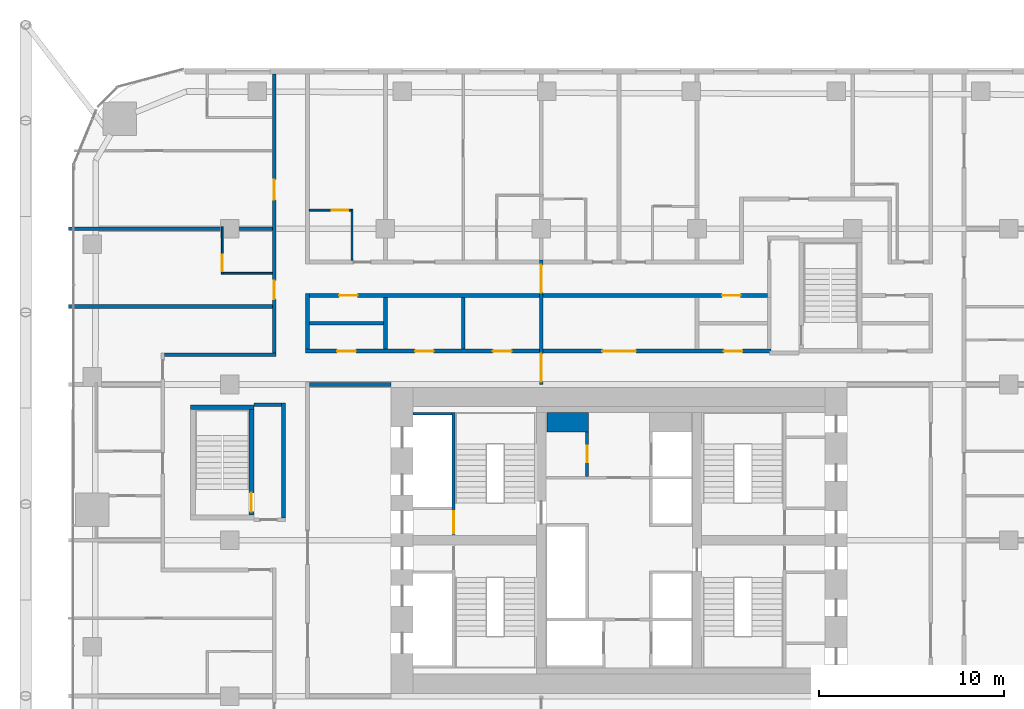
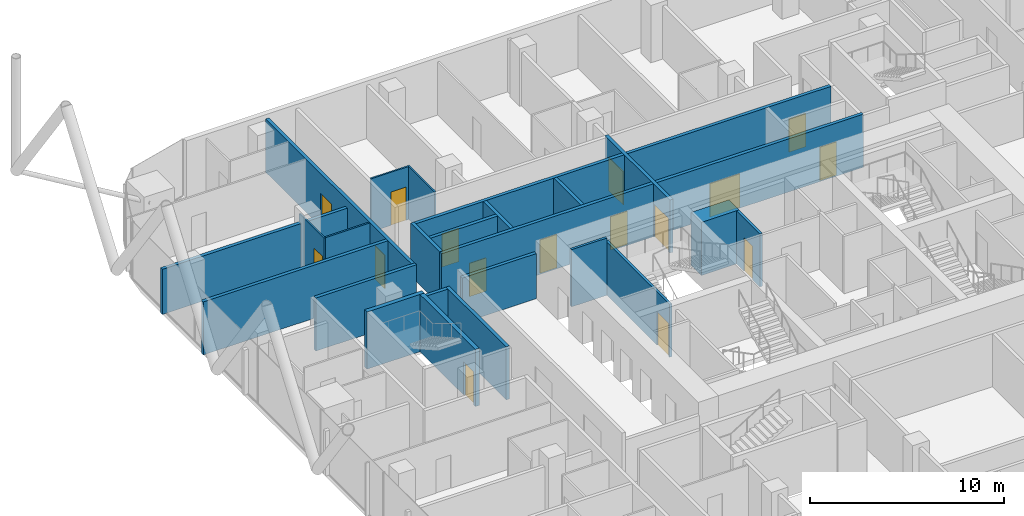
# One storey, part 29 of 34: 24 walls, 16 doors, 16 openings.
"""IFC4 building model written with IfcOpenShell, lengths in metres."""

from ifc_helpers import new_model, si_unit, direction, frame, frame_2d, origin, place, context, subcontext, project, spatial, rectangle, extrude, material, layer, layer_set, type_object, element, fill, save


model = new_model("IFC4")

# Units and contexts
model_context = context("Model", 3, precision=1e-05, world=origin(), true_north=direction((0.0, 1.0)))
body_context = subcontext(model_context, "Body", "Model", "MODEL_VIEW")
ifc_project = project(units=[si_unit("LENGTHUNIT", "METRE"), si_unit("AREAUNIT", "SQUARE_METRE"), si_unit("VOLUMEUNIT", "CUBIC_METRE"), si_unit("PLANEANGLEUNIT", "RADIAN"), si_unit("MASSUNIT", "GRAM", prefix="KILO")], contexts=[model_context])

# Site, building, storey
site_placement = place(None, origin())
site = spatial("IfcSite", under=ifc_project, at=site_placement, CompositionType="ELEMENT")
building_placement = place(site_placement, origin())
building = spatial("IfcBuilding", under=site, at=building_placement, Name="Marenta Gate Hotel Tower", CompositionType="ELEMENT")
storey_placement = place(building_placement, frame((0.0, 0.0, 76.10009765625)))
storey = spatial("IfcBuildingStorey", under=building, at=storey_placement, Name="L17", CompositionType="ELEMENT", Elevation=76.10009765625)

# Wall, openings, doors
ifc_material_1 = material(Name="Concrete blockwork", Category="masonry")
ifc_layer_1 = layer(ifc_material_1, 0.199951171875)
ifc_layer_set_1 = layer_set([ifc_layer_1], Name="Concrete blockwork")
wall_type_1 = type_object("IfcWallType", Name="Compartment wall 200 REI 180", PredefinedType="PARTITIONING", material=ifc_layer_set_1)
wall_1_placement = place(storey_placement, frame((-4.199951171875, 16.800048828125, 0.0), z_axis=(0.0, 0.0, 1.0), x_axis=(0.0, 1.0, 0.0)))
wall_1 = element("IfcWall", 1, at=wall_1_placement, inside=storey, type_object=wall_type_1, Name="L17-PTN-W076", PredefinedType="PARTITIONING", context=body_context, shape_type="SweptSolid", body=[
    extrude(rectangle(XDim=6.699951171875, YDim=0.199951171875, at=frame_2d((3.35009765625, 0.0))), origin(), (0.0, 0.0, 1.0), 3.33984375),
])
opening_1_placement = place(wall_1_placement, frame((0.14990234375, 0.0, 0.0)))
opening_1 = element("IfcOpeningElement", 2, at=opening_1_placement, cuts=wall_1, Name="Opening G06-FD1", PredefinedType="OPENING", context=body_context, shape_type="SweptSolid", body=[
    extrude(rectangle(XDim=1.5, YDim=2.10009765625, at=frame_2d((0.75, 1.050048828125))), frame((0.0, 0.10009765625, 0.0), z_axis=(0.0, -1.0, 0.0), x_axis=(1.0, 0.0, 0.0)), (0.0, 0.0, 1.0), 0.199951171875),
])
opening_2_placement = place(wall_1_placement, frame((4.949951171875, 0.0, 0.0)))
opening_2 = element("IfcOpeningElement", 3, at=opening_2_placement, cuts=wall_1, Name="Opening G06-FD2", PredefinedType="OPENING", context=body_context, shape_type="SweptSolid", body=[
    extrude(rectangle(XDim=1.5, YDim=2.10009765625, at=frame_2d((0.75, 1.050048828125))), frame((0.0, 0.10009765625, 0.0), z_axis=(0.0, -1.0, 0.0), x_axis=(1.0, 0.0, 0.0)), (0.0, 0.0, 1.0), 0.199951171875),
])
ifc_material_2 = material(Name="Hollow steel door set", Category="steel")
door_type_1 = type_object("IfcDoorType", Name="Compartment fire door 1500x2100 EI 60", OperationType="DOUBLE_DOOR_DOUBLE_SWING", PredefinedType="DOOR", material=ifc_material_2)
door_1_placement = place(opening_1_placement, origin())
door_1 = element("IfcDoor", 4, at=door_1_placement, inside=storey, type_object=door_type_1, Name="L17-PD-FD01", OperationType="DOUBLE_DOOR_DOUBLE_SWING", OverallHeight=2.10009765625, OverallWidth=1.5, PredefinedType="DOOR", context=body_context, shape_type="SweptSolid", body=[
    extrude(rectangle(XDim=1.5, YDim=2.10009765625, at=frame_2d((0.75, 1.050048828125))), frame((0.0, 0.02490234375, 0.0), z_axis=(0.0, -1.0, 0.0), x_axis=(1.0, 0.0, 0.0)), (0.0, 0.0, 1.0), 0.050048828125),
])
fill(opening_1, door_1)
door_2_placement = place(opening_2_placement, origin())
door_2 = element("IfcDoor", 5, at=door_2_placement, inside=storey, type_object=door_type_1, Name="L17-PD-FD02", OperationType="DOUBLE_DOOR_DOUBLE_SWING", OverallHeight=2.10009765625, OverallWidth=1.5, PredefinedType="DOOR", context=body_context, shape_type="SweptSolid", body=[
    extrude(rectangle(XDim=1.5, YDim=2.10009765625, at=frame_2d((0.75, 1.050048828125))), frame((0.0, 0.02490234375, 0.0), z_axis=(0.0, -1.0, 0.0), x_axis=(1.0, 0.0, 0.0)), (0.0, 0.0, 1.0), 0.050048828125),
])
fill(opening_2, door_2)

# Walls
ifc_material_3 = material(Name="Concrete blockwork", Category="masonry")
ifc_layer_2 = layer(ifc_material_3, 0.199951171875)
ifc_layer_set_2 = layer_set([ifc_layer_2], Name="Concrete blockwork")
wall_type_2 = type_object("IfcWallType", Name="Core boundary wall 200 REI 180", PredefinedType="PARTITIONING", material=ifc_layer_set_2)
wall_2_placement = place(storey_placement, frame((-16.699951171875, 16.800048828125, 0.0), z_axis=(0.0, 0.0, 1.0), x_axis=(1.0, 0.0, 0.0)))
element("IfcWall", 6, at=wall_2_placement, inside=storey, type_object=wall_type_2, Name="L17-CP-EW-WN", PredefinedType="PARTITIONING", context=body_context, shape_type="SweptSolid", body=[
    extrude(rectangle(XDim=4.39990234375, YDim=0.199951171875, at=frame_2d((2.199951171875, 0.0))), origin(), (0.0, 0.0, 1.0), 2.83984375),
])
ifc_material_4 = material(Name="Concrete blockwork", Category="masonry")
ifc_layer_3 = layer(ifc_material_4, 1.050048828125)
ifc_layer_set_3 = layer_set([ifc_layer_3], Name="Concrete blockwork")
wall_type_3 = type_object("IfcWallType", Name="Core room partition 1050 REI 180", PredefinedType="PARTITIONING", material=ifc_layer_set_3)
wall_3_placement = place(storey_placement, frame((-3.89990234375, 14.77490234375, 0.0), z_axis=(0.0, 0.0, 1.0), x_axis=(1.0, 0.0, 0.0)))
element("IfcWall", 7, at=wall_3_placement, inside=storey, type_object=wall_type_3, Name="L17-CP-CW-W-riser-N", PredefinedType="PARTITIONING", context=body_context, shape_type="SweptSolid", body=[
    extrude(rectangle(XDim=2.25, YDim=1.050048828125, at=frame_2d((1.125, 0.0))), origin(), (0.0, 0.0, 1.0), 3.33984375),
])

# Wall, opening, door
ifc_material_5 = material(Name="Concrete blockwork", Category="masonry")
ifc_layer_4 = layer(ifc_material_5, 0.14990234375)
ifc_layer_set_4 = layer_set([ifc_layer_4], Name="Concrete blockwork")
wall_type_4 = type_object("IfcWallType", Name="Core room partition 150 REI 180", PredefinedType="PARTITIONING", material=ifc_layer_set_4)
wall_4_placement = place(storey_placement, frame((-1.72509765625, 11.85009765625, 0.0), z_axis=(0.0, 0.0, 1.0), x_axis=(0.0, 1.0, 0.0)))
wall_4 = element("IfcWall", 8, at=wall_4_placement, inside=storey, type_object=wall_type_4, Name="L17-CP-CW-W-riser-front", PredefinedType="PARTITIONING", context=body_context, shape_type="SweptSolid", body=[
    extrude(rectangle(XDim=2.39990234375, YDim=0.14990234375, at=frame_2d((1.199951171875, 0.0))), origin(), (0.0, 0.0, 1.0), 3.33984375),
])
opening_3_placement = place(wall_4_placement, frame((0.75, 0.0, 0.0)))
opening_3 = element("IfcOpeningElement", 9, at=opening_3_placement, cuts=wall_4, Name="Opening RD-CRISER", PredefinedType="OPENING", context=body_context, shape_type="SweptSolid", body=[
    extrude(rectangle(XDim=0.89990234375, YDim=2.10009765625, at=frame_2d((0.449951171875, 1.050048828125))), frame((0.0, 0.074951171875, 0.0), z_axis=(0.0, -1.0, 0.0), x_axis=(1.0, 0.0, 0.0)), (0.0, 0.0, 1.0), 0.14990234375),
])
ifc_material_6 = material(Name="Steel", Category="steel")
door_type_2 = type_object("IfcDoorType", Name="Core riser door 900x2100 FD60", OperationType="SINGLE_SWING_LEFT", PredefinedType="DOOR", material=ifc_material_6)
door_3_placement = place(opening_3_placement, origin())
door_3 = element("IfcDoor", 10, at=door_3_placement, inside=storey, type_object=door_type_2, Name="RD-CRISER", OperationType="SINGLE_SWING_LEFT", OverallHeight=2.10009765625, OverallWidth=0.89990234375, PredefinedType="DOOR", context=body_context, shape_type="SweptSolid", body=[
    extrude(rectangle(XDim=0.89990234375, YDim=2.10009765625, at=frame_2d((0.449951171875, 1.050048828125))), frame((0.0, 0.02490234375, 0.0), z_axis=(0.0, -1.0, 0.0), x_axis=(1.0, 0.0, 0.0)), (0.0, 0.0, 1.0), 0.050048828125),
])
fill(opening_3, door_3)

# Wall
ifc_material_7 = material(Name="Concrete C40", Category="concrete")
ifc_layer_5 = layer(ifc_material_7, 0.14990234375)
ifc_layer_set_5 = layer_set([ifc_layer_5], Name="Concrete C40")
wall_type_5 = type_object("IfcWallType", Name="Core shaft wall 150 REI 180", PredefinedType="SHEAR", material=ifc_layer_set_5)
wall_5_placement = place(storey_placement, frame((-11.10009765625, 15.22509765625, 0.0), z_axis=(0.0, 0.0, 1.0), x_axis=(1.0, 0.0, 0.0)))
element("IfcWall", 11, at=wall_5_placement, inside=storey, type_object=wall_type_5, Name="L17-SHF-SW-WN-5", PredefinedType="SHEAR", context=body_context, shape_type="SweptSolid", body=[
    extrude(rectangle(XDim=2.10009765625, YDim=0.14990234375, at=frame_2d((1.050048828125, 0.0))), origin(), (0.0, 0.0, 1.0), 3.599853515625),
])

# Wall, opening, door
ifc_material_8 = material(Name="Concrete C40", Category="concrete")
ifc_layer_6 = layer(ifc_material_8, 0.14990234375)
ifc_layer_set_6 = layer_set([ifc_layer_6], Name="Concrete C40")
wall_type_6 = type_object("IfcWallType", Name="Core stair enclosure wall 150 REI 180", PredefinedType="SHEAR", material=ifc_layer_set_6)
wall_6_placement = place(storey_placement, frame((-8.925048828125, 8.699951171875, 0.0), z_axis=(0.0, 0.0, 1.0), x_axis=(0.0, 1.0, 0.0)))
wall_6 = element("IfcWall", 12, at=wall_6_placement, inside=storey, type_object=wall_type_6, Name="L17-SHF-SW-WN-3", PredefinedType="SHEAR", context=body_context, shape_type="SweptSolid", body=[
    extrude(rectangle(XDim=6.60009765625, YDim=0.14990234375, at=frame_2d((3.300048828125, 0.0))), origin(), (0.0, 0.0, 1.0), 3.33984375),
])
opening_4_placement = place(wall_6_placement, frame((0.074951171875, 0.0, 0.0)))
opening_4 = element("IfcOpeningElement", 13, at=opening_4_placement, cuts=wall_6, Name="Opening SD-WN", PredefinedType="OPENING", context=body_context, shape_type="SweptSolid", body=[
    extrude(rectangle(XDim=1.199951171875, YDim=2.10009765625, at=frame_2d((0.60009765625, 1.050048828125))), frame((0.0, 0.074951171875, 0.0), z_axis=(0.0, -1.0, 0.0), x_axis=(1.0, 0.0, 0.0)), (0.0, 0.0, 1.0), 0.14990234375),
])
ifc_material_9 = material(Name="Steel", Category="steel")
door_type_3 = type_object("IfcDoorType", Name="Core stair door 1200x2100 FD60", OperationType="SINGLE_SWING_LEFT", PredefinedType="DOOR", material=ifc_material_9)
door_4_placement = place(opening_4_placement, origin())
door_4 = element("IfcDoor", 14, at=door_4_placement, inside=storey, type_object=door_type_3, Name="SD-WN", OperationType="SINGLE_SWING_LEFT", OverallHeight=2.10009765625, OverallWidth=1.199951171875, PredefinedType="DOOR", context=body_context, shape_type="SweptSolid", body=[
    extrude(rectangle(XDim=1.199951171875, YDim=2.10009765625, at=frame_2d((0.60009765625, 1.050048828125))), frame((0.0, 0.02490234375, 0.0), z_axis=(0.0, -1.0, 0.0), x_axis=(1.0, 0.0, 0.0)), (0.0, 0.0, 1.0), 0.050048828125),
])
fill(opening_4, door_4)

# Wall
ifc_material_10 = material(Name="Concrete C40", Category="concrete")
ifc_layer_7 = layer(ifc_material_10, 0.25)
ifc_layer_set_7 = layer_set([ifc_layer_7], Name="Concrete C40")
wall_type_7 = type_object("IfcWallType", Name="Remote stair enclosure wall 250 REI 180", PredefinedType="SHEAR", material=ifc_layer_set_7)
wall_7_placement = place(storey_placement, frame((-23.10009765625, 15.574951171875, 0.099853515625), z_axis=(0.0, 0.0, 1.0), x_axis=(1.0, 0.0, 0.0)))
element("IfcWall", 15, at=wall_7_placement, inside=storey, type_object=wall_type_7, Name="L17-RS-Z1-3-W2", PredefinedType="SHEAR", context=body_context, shape_type="SweptSolid", body=[
    extrude(rectangle(XDim=3.400146484375, YDim=0.25, at=frame_2d((1.7001953125, 0.0))), origin(), (0.0, 0.0, 1.0), 3.60009765625),
])

# Wall, opening, door
wall_8_placement = place(storey_placement, frame((-19.824951171875, 9.75, 0.099853515625), z_axis=(0.0, 0.0, 1.0), x_axis=(0.0, 1.0, 0.0)))
wall_8 = element("IfcWall", 16, at=wall_8_placement, inside=storey, type_object=wall_type_7, Name="L17-RS-Z1-3-W4", PredefinedType="SHEAR", context=body_context, shape_type="SweptSolid", body=[
    extrude(rectangle(XDim=5.699951171875, YDim=0.25, at=frame_2d((2.85009765625, 0.0))), origin(), (0.0, 0.0, 1.0), 3.60009765625),
])
opening_5_placement = place(wall_8_placement, frame((0.199951171875, 0.0, 0.0)))
opening_5 = element("IfcOpeningElement", 17, at=opening_5_placement, cuts=wall_8, Name="Opening VD", PredefinedType="OPENING", context=body_context, shape_type="SweptSolid", body=[
    extrude(rectangle(XDim=1.0, YDim=2.10009765625, at=frame_2d((0.5, 1.050048828125))), frame((0.0, 0.125, 0.0), z_axis=(0.0, -1.0, 0.0), x_axis=(1.0, 0.0, 0.0)), (0.0, 0.0, 1.0), 0.25),
])
ifc_material_11 = material(Name="Steel", Category="steel")
door_type_4 = type_object("IfcDoorType", Name="Stair vestibule door 1000x2100 FD60", OperationType="SINGLE_SWING_LEFT", PredefinedType="DOOR", material=ifc_material_11)
door_5_placement = place(opening_5_placement, origin())
door_5 = element("IfcDoor", 18, at=door_5_placement, inside=storey, type_object=door_type_4, Name="VD", OperationType="SINGLE_SWING_LEFT", OverallHeight=2.10009765625, OverallWidth=1.0, PredefinedType="DOOR", context=body_context, shape_type="SweptSolid", body=[
    extrude(rectangle(XDim=1.0, YDim=2.10009765625, at=frame_2d((0.5, 1.050048828125))), frame((0.0, 0.02490234375, 0.0), z_axis=(0.0, -1.0, 0.0), x_axis=(1.0, 0.0, 0.0)), (0.0, 0.0, 1.0), 0.050048828125),
])
fill(opening_5, door_5)

# Walls
ifc_material_12 = material(Name="Gypsum board on steel stud", Category="steel")
ifc_layer_8 = layer(ifc_material_12, 0.199951171875)
ifc_layer_set_8 = layer_set([ifc_layer_8], Name="Gypsum board on steel stud")
wall_type_8 = type_object("IfcWallType", Name="Room corridor wall 200 EI 60", PredefinedType="PARTITIONING", material=ifc_layer_set_8)
wall_9_placement = place(storey_placement, frame((-16.800048828125, 18.699951171875, 0.0), z_axis=(0.0, 0.0, 1.0), x_axis=(0.0, 1.0, 0.0)))
element("IfcWall", 19, at=wall_9_placement, inside=storey, type_object=wall_type_8, Name="L17-PTN-W105", PredefinedType="PARTITIONING", context=body_context, shape_type="SweptSolid", body=[
    extrude(rectangle(XDim=3.0, YDim=0.199951171875, at=frame_2d((1.5, 0.0))), origin(), (0.0, 0.0, 1.0), 3.33984375),
])
wall_10_placement = place(storey_placement, frame((-24.5, 18.39990234375, 0.0), z_axis=(0.0, 0.0, 1.0), x_axis=(1.0, 0.0, 0.0)))
element("IfcWall", 20, at=wall_10_placement, inside=storey, type_object=wall_type_8, Name="L17-PTN-W110", PredefinedType="PARTITIONING", context=body_context, shape_type="SweptSolid", body=[
    extrude(rectangle(XDim=6.0, YDim=0.199951171875, at=frame_2d((3.0, 0.0))), origin(), (0.0, 0.0, 1.0), 3.33984375),
])

# Wall, openings, doors
wall_11_placement = place(storey_placement, frame((-18.60009765625, 18.5, 0.0), z_axis=(0.0, 0.0, 1.0), x_axis=(0.0, 1.0, 0.0)))
wall_11 = element("IfcWall", 21, at=wall_11_placement, inside=storey, type_object=wall_type_8, Name="L17-PTN-W113", PredefinedType="PARTITIONING", context=body_context, shape_type="SweptSolid", body=[
    extrude(rectangle(XDim=15.0400390625, YDim=0.199951171875, at=frame_2d((7.52001953125, 0.0))), origin(), (0.0, 0.0, 1.0), 3.33984375),
])
opening_6_placement = place(wall_11_placement, frame((2.89990234375, 0.0, 0.0)))
opening_6 = element("IfcOpeningElement", 22, at=opening_6_placement, cuts=wall_11, Name="Opening G06-56", PredefinedType="OPENING", context=body_context, shape_type="SweptSolid", body=[
    extrude(rectangle(XDim=1.0, YDim=2.10009765625, at=frame_2d((0.5, 1.050048828125))), frame((0.0, 0.10009765625, 0.0), z_axis=(0.0, -1.0, 0.0), x_axis=(1.0, 0.0, 0.0)), (0.0, 0.0, 1.0), 0.199951171875),
])
opening_7_placement = place(wall_11_placement, frame((8.25, 0.0, 0.0)))
opening_7 = element("IfcOpeningElement", 23, at=opening_7_placement, cuts=wall_11, Name="Opening G06-58", PredefinedType="OPENING", context=body_context, shape_type="SweptSolid", body=[
    extrude(rectangle(XDim=1.10009765625, YDim=2.10009765625, at=frame_2d((0.550048828125, 1.050048828125))), frame((0.0, 0.10009765625, 0.0), z_axis=(0.0, -1.0, 0.0), x_axis=(1.0, 0.0, 0.0)), (0.0, 0.0, 1.0), 0.199951171875),
])
ifc_material_13 = material(Name="Timber door leaf", Category="wood")
door_type_5 = type_object("IfcDoorType", Name="Guest room door 1000x2100 EI 30", OperationType="NOTDEFINED", PredefinedType="DOOR", material=ifc_material_13)
door_6_placement = place(opening_6_placement, origin())
door_6 = element("IfcDoor", 24, at=door_6_placement, inside=storey, type_object=door_type_5, Name="L17-PD-D056", OperationType="SINGLE_SWING_LEFT", OverallHeight=2.10009765625, OverallWidth=1.0, PredefinedType="DOOR", context=body_context, shape_type="SweptSolid", body=[
    extrude(rectangle(XDim=1.0, YDim=2.10009765625, at=frame_2d((0.5, 1.050048828125))), frame((0.0, 0.02490234375, 0.0), z_axis=(0.0, -1.0, 0.0), x_axis=(1.0, 0.0, 0.0)), (0.0, 0.0, 1.0), 0.050048828125),
])
fill(opening_6, door_6)
ifc_material_14 = material(Name="Timber door leaf", Category="wood")
door_type_6 = type_object("IfcDoorType", Name="Guest room door 1100x2100 EI 30", OperationType="NOTDEFINED", PredefinedType="DOOR", material=ifc_material_14)
door_7_placement = place(opening_7_placement, origin())
door_7 = element("IfcDoor", 25, at=door_7_placement, inside=storey, type_object=door_type_6, Name="L17-PD-D058", OperationType="SINGLE_SWING_LEFT", OverallHeight=2.10009765625, OverallWidth=1.10009765625, PredefinedType="DOOR", context=body_context, shape_type="SweptSolid", body=[
    extrude(rectangle(XDim=1.10009765625, YDim=2.10009765625, at=frame_2d((0.550048828125, 1.050048828125))), frame((0.0, 0.02490234375, 0.0), z_axis=(0.0, -1.0, 0.0), x_axis=(1.0, 0.0, 0.0)), (0.0, 0.0, 1.0), 0.050048828125),
])
fill(opening_7, door_7)

wall_12_placement = place(storey_placement, frame((-16.89990234375, 18.60009765625, 0.0), z_axis=(0.0, 0.0, 1.0), x_axis=(1.0, 0.0, 0.0)))
wall_12 = element("IfcWall", 26, at=wall_12_placement, inside=storey, type_object=wall_type_8, Name="L17-PTN-W114", PredefinedType="PARTITIONING", context=body_context, shape_type="SweptSolid", body=[
    extrude(rectangle(XDim=25.099853515625, YDim=0.199951171875, at=frame_2d((12.5498046875, 0.0))), origin(), (0.0, 0.0, 1.0), 3.33984375),
])
opening_8_placement = place(wall_12_placement, frame((16.0, 0.0, 0.0)))
opening_8 = element("IfcOpeningElement", 27, at=opening_8_placement, cuts=wall_12, Name="Opening G06-01", PredefinedType="OPENING", context=body_context, shape_type="SweptSolid", body=[
    extrude(rectangle(XDim=1.800048828125, YDim=2.10009765625, at=frame_2d((0.89990234375, 1.050048828125))), frame((0.0, 0.10009765625, 0.0), z_axis=(0.0, -1.0, 0.0), x_axis=(1.0, 0.0, 0.0)), (0.0, 0.0, 1.0), 0.199951171875),
])
opening_9_placement = place(wall_12_placement, frame((5.89990234375, 0.0, 0.0)))
opening_9 = element("IfcOpeningElement", 28, at=opening_9_placement, cuts=wall_12, Name="Opening G06-68", PredefinedType="OPENING", context=body_context, shape_type="SweptSolid", body=[
    extrude(rectangle(XDim=1.0, YDim=2.10009765625, at=frame_2d((0.5, 1.050048828125))), frame((0.0, 0.10009765625, 0.0), z_axis=(0.0, -1.0, 0.0), x_axis=(1.0, 0.0, 0.0)), (0.0, 0.0, 1.0), 0.199951171875),
])
opening_10_placement = place(wall_12_placement, frame((10.10009765625, 0.0, 0.0)))
opening_10 = element("IfcOpeningElement", 29, at=opening_10_placement, cuts=wall_12, Name="Opening G06-69", PredefinedType="OPENING", context=body_context, shape_type="SweptSolid", body=[
    extrude(rectangle(XDim=1.0, YDim=2.10009765625, at=frame_2d((0.5, 1.050048828125))), frame((0.0, 0.10009765625, 0.0), z_axis=(0.0, -1.0, 0.0), x_axis=(1.0, 0.0, 0.0)), (0.0, 0.0, 1.0), 0.199951171875),
])
opening_11_placement = place(wall_12_placement, frame((1.699951171875, 0.0, 0.0)))
opening_11 = element("IfcOpeningElement", 30, at=opening_11_placement, cuts=wall_12, Name="Opening G06-70", PredefinedType="OPENING", context=body_context, shape_type="SweptSolid", body=[
    extrude(rectangle(XDim=1.0, YDim=2.10009765625, at=frame_2d((0.5, 1.050048828125))), frame((0.0, 0.10009765625, 0.0), z_axis=(0.0, -1.0, 0.0), x_axis=(1.0, 0.0, 0.0)), (0.0, 0.0, 1.0), 0.199951171875),
])
opening_12_placement = place(wall_12_placement, frame((22.550048828125, 0.0, 0.0)))
opening_12 = element("IfcOpeningElement", 31, at=opening_12_placement, cuts=wall_12, Name="Opening G06-72", PredefinedType="OPENING", context=body_context, shape_type="SweptSolid", body=[
    extrude(rectangle(XDim=1.0, YDim=2.10009765625, at=frame_2d((0.5, 1.050048828125))), frame((0.0, 0.10009765625, 0.0), z_axis=(0.0, -1.0, 0.0), x_axis=(1.0, 0.0, 0.0)), (0.0, 0.0, 1.0), 0.199951171875),
])
ifc_material_15 = material(Name="Timber door leaf", Category="wood")
door_type_7 = type_object("IfcDoorType", Name="Room amenity door 1000x2100 EI 30", OperationType="NOTDEFINED", PredefinedType="DOOR", material=ifc_material_15)
door_8_placement = place(opening_9_placement, origin())
door_8 = element("IfcDoor", 32, at=door_8_placement, inside=storey, type_object=door_type_7, Name="L17-PD-D068", OperationType="SINGLE_SWING_RIGHT", OverallHeight=2.10009765625, OverallWidth=1.0, PredefinedType="DOOR", context=body_context, shape_type="SweptSolid", body=[
    extrude(rectangle(XDim=1.0, YDim=2.10009765625, at=frame_2d((0.5, 1.050048828125))), frame((0.0, 0.02490234375, 0.0), z_axis=(0.0, -1.0, 0.0), x_axis=(1.0, 0.0, 0.0)), (0.0, 0.0, 1.0), 0.050048828125),
])
fill(opening_9, door_8)
door_9_placement = place(opening_10_placement, origin())
door_9 = element("IfcDoor", 33, at=door_9_placement, inside=storey, type_object=door_type_7, Name="L17-PD-D069", OperationType="SINGLE_SWING_LEFT", OverallHeight=2.10009765625, OverallWidth=1.0, PredefinedType="DOOR", context=body_context, shape_type="SweptSolid", body=[
    extrude(rectangle(XDim=1.0, YDim=2.10009765625, at=frame_2d((0.5, 1.050048828125))), frame((0.0, 0.02490234375, 0.0), z_axis=(0.0, -1.0, 0.0), x_axis=(1.0, 0.0, 0.0)), (0.0, 0.0, 1.0), 0.050048828125),
])
fill(opening_10, door_9)
door_10_placement = place(opening_11_placement, origin())
door_10 = element("IfcDoor", 34, at=door_10_placement, inside=storey, type_object=door_type_7, Name="L17-PD-D070", OperationType="SINGLE_SWING_RIGHT", OverallHeight=2.10009765625, OverallWidth=1.0, PredefinedType="DOOR", context=body_context, shape_type="SweptSolid", body=[
    extrude(rectangle(XDim=1.0, YDim=2.10009765625, at=frame_2d((0.5, 1.050048828125))), frame((0.0, 0.02490234375, 0.0), z_axis=(0.0, -1.0, 0.0), x_axis=(1.0, 0.0, 0.0)), (0.0, 0.0, 1.0), 0.050048828125),
])
fill(opening_11, door_10)
door_11_placement = place(opening_12_placement, origin())
door_11 = element("IfcDoor", 35, at=door_11_placement, inside=storey, type_object=door_type_7, Name="L17-PD-D072", OperationType="SINGLE_SWING_RIGHT", OverallHeight=2.10009765625, OverallWidth=1.0, PredefinedType="DOOR", context=body_context, shape_type="SweptSolid", body=[
    extrude(rectangle(XDim=1.0, YDim=2.10009765625, at=frame_2d((0.5, 1.050048828125))), frame((0.0, 0.02490234375, 0.0), z_axis=(0.0, -1.0, 0.0), x_axis=(1.0, 0.0, 0.0)), (0.0, 0.0, 1.0), 0.050048828125),
])
fill(opening_12, door_11)
ifc_material_16 = material(Name="Timber door leaf", Category="wood")
door_type_8 = type_object("IfcDoorType", Name="Room amenity door 1800x2100 EI 30", OperationType="DOUBLE_DOOR_SINGLE_SWING", PredefinedType="DOOR", material=ifc_material_16)
door_12_placement = place(opening_8_placement, origin())
door_12 = element("IfcDoor", 36, at=door_12_placement, inside=storey, type_object=door_type_8, Name="L17-PD-D001", OperationType="DOUBLE_DOOR_SINGLE_SWING", OverallHeight=2.10009765625, OverallWidth=1.800048828125, PredefinedType="DOOR", context=body_context, shape_type="SweptSolid", body=[
    extrude(rectangle(XDim=1.800048828125, YDim=2.10009765625, at=frame_2d((0.89990234375, 1.050048828125))), frame((0.0, 0.02490234375, 0.0), z_axis=(0.0, -1.0, 0.0), x_axis=(1.0, 0.0, 0.0)), (0.0, 0.0, 1.0), 0.050048828125),
])
fill(opening_8, door_12)

wall_13_placement = place(storey_placement, frame((-16.699951171875, 21.60009765625, 0.0), z_axis=(0.0, 0.0, 1.0), x_axis=(1.0, 0.0, 0.0)))
wall_13 = element("IfcWall", 37, at=wall_13_placement, inside=storey, type_object=wall_type_8, Name="L17-PTN-W125", PredefinedType="PARTITIONING", context=body_context, shape_type="SweptSolid", body=[
    extrude(rectangle(XDim=24.699951171875, YDim=0.199951171875, at=frame_2d((12.35009765625, 0.0))), origin(), (0.0, 0.0, 1.0), 3.33984375),
])
opening_13_placement = place(wall_13_placement, frame((1.60009765625, 0.0, 0.0)))
opening_13 = element("IfcOpeningElement", 38, at=opening_13_placement, cuts=wall_13, Name="Opening G06-71", PredefinedType="OPENING", context=body_context, shape_type="SweptSolid", body=[
    extrude(rectangle(XDim=1.0, YDim=2.10009765625, at=frame_2d((0.5, 1.050048828125))), frame((0.0, 0.10009765625, 0.0), z_axis=(0.0, -1.0, 0.0), x_axis=(1.0, 0.0, 0.0)), (0.0, 0.0, 1.0), 0.199951171875),
])
opening_14_placement = place(wall_13_placement, frame((22.25, 0.0, 0.0)))
opening_14 = element("IfcOpeningElement", 39, at=opening_14_placement, cuts=wall_13, Name="Opening G06-73", PredefinedType="OPENING", context=body_context, shape_type="SweptSolid", body=[
    extrude(rectangle(XDim=1.0, YDim=2.10009765625, at=frame_2d((0.5, 1.050048828125))), frame((0.0, 0.10009765625, 0.0), z_axis=(0.0, -1.0, 0.0), x_axis=(1.0, 0.0, 0.0)), (0.0, 0.0, 1.0), 0.199951171875),
])
door_13_placement = place(opening_13_placement, origin())
door_13 = element("IfcDoor", 40, at=door_13_placement, inside=storey, type_object=door_type_7, Name="L17-PD-D071", OperationType="SINGLE_SWING_RIGHT", OverallHeight=2.10009765625, OverallWidth=1.0, PredefinedType="DOOR", context=body_context, shape_type="SweptSolid", body=[
    extrude(rectangle(XDim=1.0, YDim=2.10009765625, at=frame_2d((0.5, 1.050048828125))), frame((0.0, 0.02490234375, 0.0), z_axis=(0.0, -1.0, 0.0), x_axis=(1.0, 0.0, 0.0)), (0.0, 0.0, 1.0), 0.050048828125),
])
fill(opening_13, door_13)
door_14_placement = place(opening_14_placement, origin())
door_14 = element("IfcDoor", 41, at=door_14_placement, inside=storey, type_object=door_type_7, Name="L17-PD-D073", OperationType="SINGLE_SWING_LEFT", OverallHeight=2.10009765625, OverallWidth=1.0, PredefinedType="DOOR", context=body_context, shape_type="SweptSolid", body=[
    extrude(rectangle(XDim=1.0, YDim=2.10009765625, at=frame_2d((0.5, 1.050048828125))), frame((0.0, 0.02490234375, 0.0), z_axis=(0.0, -1.0, 0.0), x_axis=(1.0, 0.0, 0.0)), (0.0, 0.0, 1.0), 0.050048828125),
])
fill(opening_14, door_14)

# Walls
ifc_material_17 = material(Name="Concrete blockwork", Category="masonry")
ifc_layer_9 = layer(ifc_material_17, 0.199951171875)
ifc_layer_set_9 = layer_set([ifc_layer_9], Name="Concrete blockwork")
wall_type_9 = type_object("IfcWallType", Name="Room corridor wall 200 REI 180", PredefinedType="PARTITIONING", material=ifc_layer_set_9)
wall_14_placement = place(storey_placement, frame((-19.699951171875, 15.699951171875, 0.0), z_axis=(0.0, 0.0, 1.0), x_axis=(1.0, 0.0, 0.0)))
element("IfcWall", 42, at=wall_14_placement, inside=storey, type_object=wall_type_9, Name="L17-PTN-W102", PredefinedType="PARTITIONING", context=body_context, shape_type="SweptSolid", body=[
    extrude(rectangle(XDim=1.5, YDim=0.199951171875, at=frame_2d((0.75, 0.0))), origin(), (0.0, 0.0, 1.0), 3.33984375),
])
wall_15_placement = place(storey_placement, frame((-18.10009765625, 9.60009765625, 0.0), z_axis=(0.0, 0.0, 1.0), x_axis=(0.0, 1.0, 0.0)))
element("IfcWall", 43, at=wall_15_placement, inside=storey, type_object=wall_type_9, Name="L17-PTN-W109", PredefinedType="PARTITIONING", context=body_context, shape_type="SweptSolid", body=[
    extrude(rectangle(XDim=6.199951171875, YDim=0.199951171875, at=frame_2d((3.10009765625, 0.0))), origin(), (0.0, 0.0, 1.0), 3.33984375),
])
ifc_material_18 = material(Name="Gypsum board on steel stud", Category="steel")
ifc_layer_10 = layer(ifc_material_18, 0.10009765625)
ifc_layer_set_10 = layer_set([ifc_layer_10], Name="Gypsum board on steel stud")
wall_type_10 = type_object("IfcWallType", Name="Room partition 100", PredefinedType="PARTITIONING", material=ifc_layer_set_10)
wall_16_placement = place(storey_placement, frame((-14.39990234375, 23.5, 0.0), z_axis=(0.0, 0.0, 1.0), x_axis=(0.0, 1.0, 0.0)))
element("IfcWall", 44, at=wall_16_placement, inside=storey, type_object=wall_type_10, Name="L17-PTN-W099", PredefinedType="PARTITIONING", context=body_context, shape_type="SweptSolid", body=[
    extrude(rectangle(XDim=2.75, YDim=0.10009765625, at=frame_2d((1.375, 0.0))), origin(), (0.0, 0.0, 1.0), 3.33984375),
])

# Wall, opening, door
wall_17_placement = place(storey_placement, frame((-21.39990234375, 22.75, 0.0), z_axis=(0.0, 0.0, 1.0), x_axis=(0.0, 1.0, 0.0)))
wall_17 = element("IfcWall", 45, at=wall_17_placement, inside=storey, type_object=wall_type_10, Name="L17-PTN-W123", PredefinedType="PARTITIONING", context=body_context, shape_type="SweptSolid", body=[
    extrude(rectangle(XDim=2.550048828125, YDim=0.10009765625, at=frame_2d((1.27490234375, 0.0))), origin(), (0.0, 0.0, 1.0), 3.33984375),
])
opening_15_placement = place(wall_17_placement, frame((0.14990234375, 0.0, 0.0)))
opening_15 = element("IfcOpeningElement", 46, at=opening_15_placement, cuts=wall_17, Name="Opening G06-57", PredefinedType="OPENING", context=body_context, shape_type="SweptSolid", body=[
    extrude(rectangle(XDim=0.89990234375, YDim=2.10009765625, at=frame_2d((0.449951171875, 1.050048828125))), frame((0.0, 0.050048828125, 0.0), z_axis=(0.0, -1.0, 0.0), x_axis=(1.0, 0.0, 0.0)), (0.0, 0.0, 1.0), 0.10009765625),
])
ifc_material_19 = material(Name="Timber door leaf", Category="wood")
door_type_9 = type_object("IfcDoorType", Name="Guest bathroom door 900x2100", OperationType="NOTDEFINED", PredefinedType="DOOR", material=ifc_material_19)
door_15_placement = place(opening_15_placement, origin())
door_15 = element("IfcDoor", 47, at=door_15_placement, inside=storey, type_object=door_type_9, Name="L17-PD-D057", OperationType="SINGLE_SWING_RIGHT", OverallHeight=2.10009765625, OverallWidth=0.89990234375, PredefinedType="DOOR", context=body_context, shape_type="SweptSolid", body=[
    extrude(rectangle(XDim=0.89990234375, YDim=2.10009765625, at=frame_2d((0.449951171875, 1.050048828125))), frame((0.0, 0.02490234375, 0.0), z_axis=(0.0, -1.0, 0.0), x_axis=(1.0, 0.0, 0.0)), (0.0, 0.0, 1.0), 0.050048828125),
])
fill(opening_15, door_15)

# Wall
wall_18_placement = place(storey_placement, frame((-21.35009765625, 22.800048828125, 0.0), z_axis=(0.0, 0.0, 1.0), x_axis=(1.0, 0.0, 0.0)))
element("IfcWall", 48, at=wall_18_placement, inside=storey, type_object=wall_type_10, Name="L17-PTN-W131", PredefinedType="PARTITIONING", context=body_context, shape_type="SweptSolid", body=[
    extrude(rectangle(XDim=2.650146484375, YDim=0.10009765625, at=frame_2d((1.3251953125, 0.0))), origin(), (0.0, 0.0, 1.0), 3.33984375),
])

# Wall, opening, door
wall_19_placement = place(storey_placement, frame((-16.699951171875, 26.199951171875, 0.0), z_axis=(0.0, 0.0, 1.0), x_axis=(1.0, 0.0, 0.0)))
wall_19 = element("IfcWall", 49, at=wall_19_placement, inside=storey, type_object=wall_type_10, Name="L17-PTN-W138", PredefinedType="PARTITIONING", context=body_context, shape_type="SweptSolid", body=[
    extrude(rectangle(XDim=2.25, YDim=0.10009765625, at=frame_2d((1.125, 0.0))), origin(), (0.0, 0.0, 1.0), 3.33984375),
])
opening_16_placement = place(wall_19_placement, frame((1.199951171875, 0.0, 0.0)))
opening_16 = element("IfcOpeningElement", 50, at=opening_16_placement, cuts=wall_19, Name="Opening G06-22", PredefinedType="OPENING", context=body_context, shape_type="SweptSolid", body=[
    extrude(rectangle(XDim=0.89990234375, YDim=2.10009765625, at=frame_2d((0.449951171875, 1.050048828125))), frame((0.0, 0.050048828125, 0.0), z_axis=(0.0, -1.0, 0.0), x_axis=(1.0, 0.0, 0.0)), (0.0, 0.0, 1.0), 0.10009765625),
])
door_16_placement = place(opening_16_placement, origin())
door_16 = element("IfcDoor", 51, at=door_16_placement, inside=storey, type_object=door_type_9, Name="L17-PD-D022", OperationType="SINGLE_SWING_LEFT", OverallHeight=2.10009765625, OverallWidth=0.89990234375, PredefinedType="DOOR", context=body_context, shape_type="SweptSolid", body=[
    extrude(rectangle(XDim=0.89990234375, YDim=2.10009765625, at=frame_2d((0.449951171875, 1.050048828125))), frame((0.0, 0.02490234375, 0.0), z_axis=(0.0, -1.0, 0.0), x_axis=(1.0, 0.0, 0.0)), (0.0, 0.0, 1.0), 0.050048828125),
])
fill(opening_16, door_16)

# Walls
ifc_material_20 = material(Name="Gypsum board on steel stud", Category="steel")
ifc_layer_11 = layer(ifc_material_20, 0.199951171875)
ifc_layer_set_11 = layer_set([ifc_layer_11], Name="Gypsum board on steel stud")
wall_type_11 = type_object("IfcWallType", Name="Room party wall 200 EI 60", PredefinedType="PARTITIONING", material=ifc_layer_set_11)
for number, where, z_axis, x_axis, name in (
    (52, (-8.39990234375, 18.699951171875, 0.0), (0.0, 0.0, 1.0), (0.0, 1.0, 0.0), "L17-PTN-W084"),
    (53, (-12.60009765625, 18.699951171875, 0.0), (0.0, 0.0, 1.0), (0.0, 1.0, 0.0), "L17-PTN-W094"),
):
    element("IfcWall", number, at=place(storey_placement, frame(where, z_axis=z_axis, x_axis=x_axis)), inside=storey, type_object=wall_type_11, Name=name, PredefinedType="PARTITIONING", context=body_context, shape_type="SweptSolid", body=[
        extrude(rectangle(XDim=2.800048828125, YDim=0.199951171875, at=frame_2d((1.39990234375, 0.0))), origin(), (0.0, 0.0, 1.0), 3.33984375),
    ])
wall_20_placement = place(storey_placement, frame((-16.699951171875, 20.10009765625, 0.0), z_axis=(0.0, 0.0, 1.0), x_axis=(1.0, 0.0, 0.0)))
element("IfcWall", 54, at=wall_20_placement, inside=storey, type_object=wall_type_11, Name="L17-PTN-W117", PredefinedType="PARTITIONING", context=body_context, shape_type="SweptSolid", body=[
    extrude(rectangle(XDim=4.0, YDim=0.199951171875, at=frame_2d((2.0, 0.0))), origin(), (0.0, 0.0, 1.0), 3.33984375),
])
wall_21_placement = place(storey_placement, frame((-29.699951171875, 21.0, 0.0), z_axis=(0.0, 0.0, 1.0), x_axis=(1.0, 0.0, 0.0)))
element("IfcWall", 55, at=wall_21_placement, inside=storey, type_object=wall_type_11, Name="L17-PTN-W120", PredefinedType="PARTITIONING", context=body_context, shape_type="SweptSolid", body=[
    extrude(rectangle(XDim=11.0, YDim=0.199951171875, at=frame_2d((5.5, 0.0))), origin(), (0.0, 0.0, 1.0), 3.33984375),
])
wall_22_placement = place(storey_placement, frame((-29.699951171875, 25.199951171875, 0.0), z_axis=(0.0, 0.0, 1.0), x_axis=(1.0, 0.0, 0.0)))
element("IfcWall", 56, at=wall_22_placement, inside=storey, type_object=wall_type_11, Name="L17-PTN-W136", PredefinedType="PARTITIONING", context=body_context, shape_type="SweptSolid", body=[
    extrude(rectangle(XDim=11.0, YDim=0.199951171875, at=frame_2d((5.5, 0.0))), origin(), (0.0, 0.0, 1.0), 2.83984375),
])

save(model, "model.ifc")
